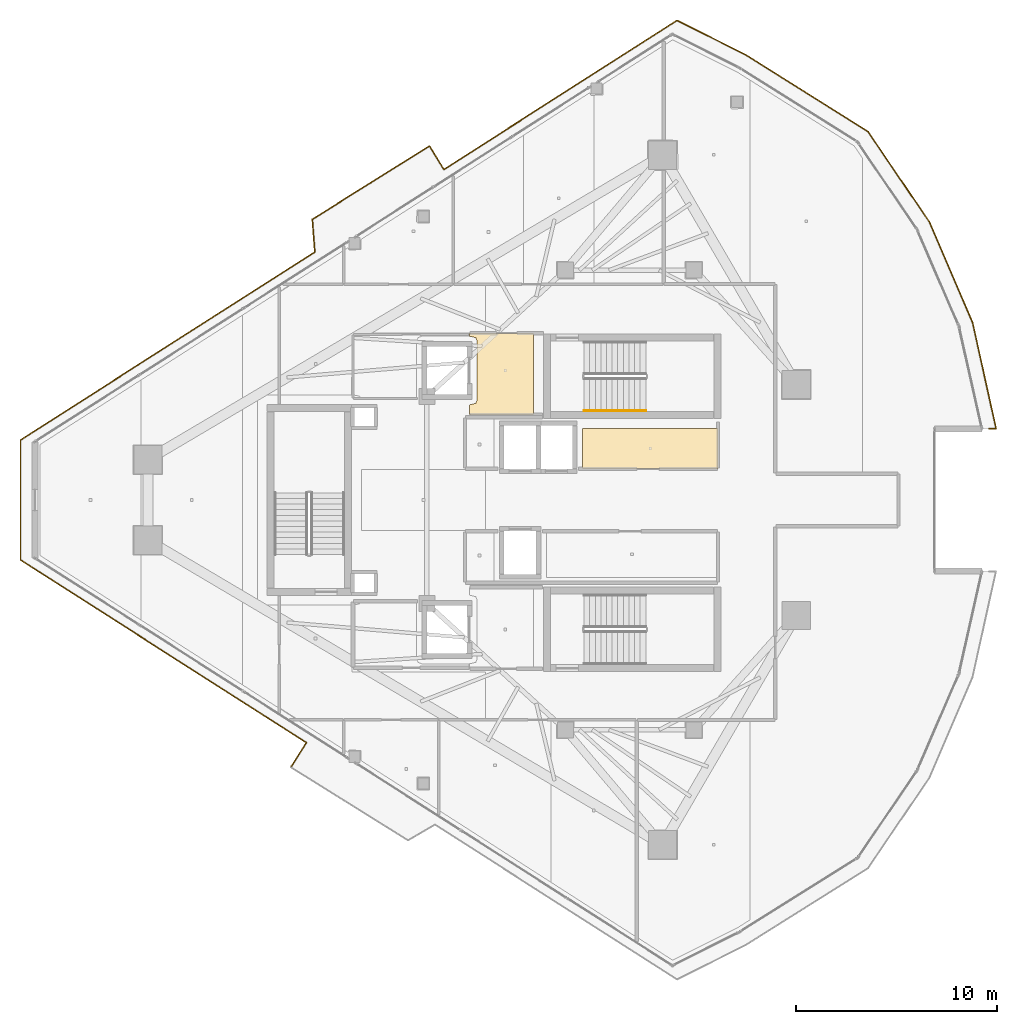
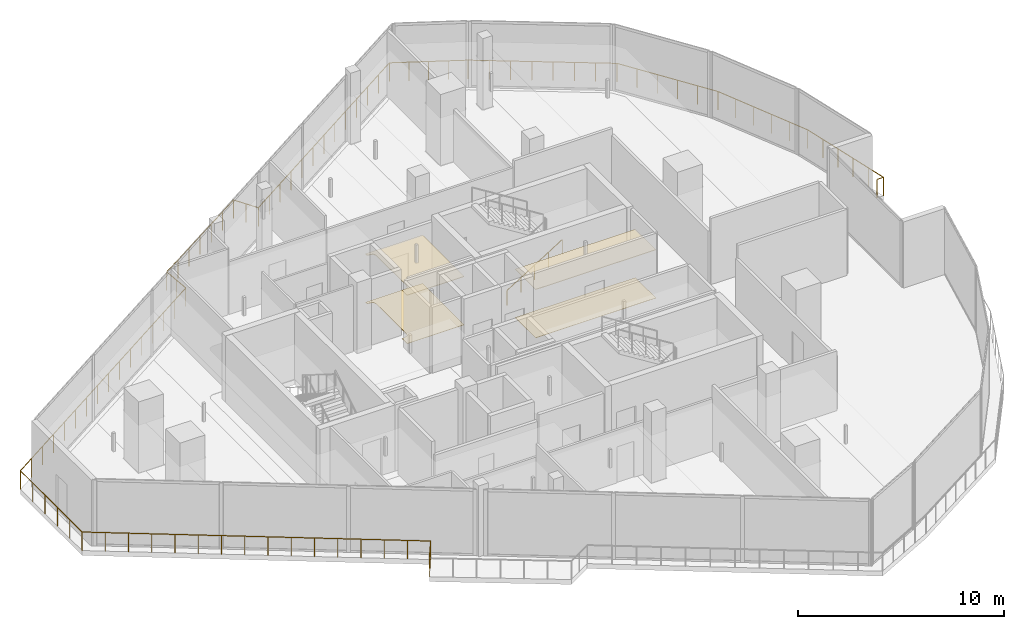
# One storey, part 25 of 27: 4 coverings, 2 railings.
"""IFC4 building model written with IfcOpenShell, lengths in metres."""

from ifc_helpers import new_model, si_unit, direction, frame, origin, origin_2d, place, context, subcontext, project, spatial, polyline, circle, outline, extrude, material, layer, layer_set, type_object, element, save


model = new_model("IFC4")

# Units and contexts
model_context = context("Model", 3, precision=1e-05, world=origin(), true_north=direction((0.0, 1.0)))
body_context = subcontext(model_context, "Body", "Model", "MODEL_VIEW")
ifc_project = project(units=[si_unit("LENGTHUNIT", "METRE"), si_unit("AREAUNIT", "SQUARE_METRE"), si_unit("VOLUMEUNIT", "CUBIC_METRE"), si_unit("PLANEANGLEUNIT", "RADIAN"), si_unit("MASSUNIT", "GRAM", prefix="KILO")], contexts=[model_context])

# Site, building, storey
site_placement = place(None, origin())
site = spatial("IfcSite", under=ifc_project, at=site_placement, CompositionType="ELEMENT")
building_placement = place(site_placement, origin())
building = spatial("IfcBuilding", under=site, at=building_placement, Name="Qorvath Tower", CompositionType="ELEMENT")
storey_placement = place(building_placement, frame((0.0, 0.0, 293.39990234375)))
storey = spatial("IfcBuildingStorey", under=building, at=storey_placement, Name="L68", CompositionType="ELEMENT", Elevation=293.39990234375)

# Coverings
ifc_material_1 = material(Name="Acoustic mineral fibre ceiling tile", Category="gypsum")
ifc_layer_1 = layer(ifc_material_1, 0.030029296875)
ifc_layer_set_1 = layer_set([ifc_layer_1], Name="COV-CEIL")
covering_type_1 = type_object("IfcCoveringType", Name="COV-CEIL", PredefinedType="CEILING", material=ifc_layer_set_1)
covering_1_placement = place(storey_placement, frame((0.0, 0.0, 2.85009765625)))
element("IfcCovering", 1, at=covering_1_placement, inside=storey, type_object=covering_type_1, Name="L68 Suspended Acoustic Ceiling 001", PredefinedType="CEILING", context=body_context, shape_type="SweptSolid", body=[
    extrude(outline(polyline([(-25.18994140625, 4.2548828125), (-25.18994140625, 8.294921875), (-28.375, 8.294921875), (-28.375, 8.159912109375), (-28.063232421875, 8.086669921875), (-27.989990234375, 7.909912109375), (-27.989990234375, 4.989990234375), (-28.063232421875, 4.813232421875), (-28.375, 4.739990234375), (-28.375, 4.2548828125), (-25.18994140625, 4.2548828125)])), origin(), (0.0, 0.0, 1.0), 0.030029296875),
])
covering_2_placement = place(storey_placement, frame((0.0, 0.0, 2.85009765625)))
element("IfcCovering", 2, at=covering_2_placement, inside=storey, type_object=covering_type_1, Name="L68 Suspended Acoustic Ceiling 003", PredefinedType="CEILING", context=body_context, shape_type="SweptSolid", body=[
    extrude(outline(polyline([(-16.0048828125, 3.56005859375), (-22.739990234375, 3.56005859375), (-22.739990234375, 1.56494140625), (-16.0048828125, 1.56494140625), (-16.0048828125, 3.56005859375)])), origin(), (0.0, 0.0, 1.0), 0.030029296875),
])
ifc_material_2 = material(Name="Low-VOC modular carpet tile", Category="textile")
ifc_layer_2 = layer(ifc_material_2, 0.014892578125)
ifc_layer_set_2 = layer_set([ifc_layer_2], Name="COV-FLOOR-CPT")
covering_type_2 = type_object("IfcCoveringType", Name="COV-FLOOR-CPT", PredefinedType="FLOORING", material=ifc_layer_set_2)
covering_3_placement = place(storey_placement, origin())
element("IfcCovering", 3, at=covering_3_placement, inside=storey, type_object=covering_type_2, Name="L68 Floor Finish 003", PredefinedType="FLOORING", context=body_context, shape_type="SweptSolid", body=[
    extrude(outline(polyline([(-16.0048828125, 3.56005859375), (-22.739990234375, 3.56005859375), (-22.739990234375, 1.56494140625), (-16.0048828125, 1.56494140625), (-16.0048828125, 3.56005859375)])), origin(), (0.0, 0.0, 1.0), 0.01513671875),
])
ifc_material_3 = material(Name="Polished epoxy terrazzo flooring", Category="concrete")
ifc_layer_3 = layer(ifc_material_3, 0.02001953125)
ifc_layer_set_3 = layer_set([ifc_layer_3], Name="COV-FLOOR-TRZ")
covering_type_3 = type_object("IfcCoveringType", Name="COV-FLOOR-TRZ", PredefinedType="FLOORING", material=ifc_layer_set_3)
covering_4_placement = place(storey_placement, origin())
element("IfcCovering", 4, at=covering_4_placement, inside=storey, type_object=covering_type_3, Name="L68 Floor Finish 001", PredefinedType="FLOORING", context=body_context, shape_type="SweptSolid", body=[
    extrude(outline(polyline([(-25.18994140625, 4.2548828125), (-25.18994140625, 8.294921875), (-28.375, 8.294921875), (-28.375, 8.159912109375), (-28.063232421875, 8.086669921875), (-27.989990234375, 7.909912109375), (-27.989990234375, 4.989990234375), (-28.063232421875, 4.813232421875), (-28.375, 4.739990234375), (-28.375, 4.2548828125), (-25.18994140625, 4.2548828125)])), origin(), (0.0, 0.0, 1.0), 0.01513671875),
])

# Railings
ifc_material_4 = material(Name="Laminated safety glass and stainless steel AISI 316", Category="steel")
railing_type_1 = type_object("IfcRailingType", Name="RL-EXT-GRD", PredefinedType="GUARDRAIL", material=ifc_material_4)
railing_1_placement = place(storey_placement, frame((-37.282470703125, -13.314453125, 0.0)))
element("IfcRailing", 5, at=railing_1_placement, inside=storey, type_object=railing_type_1, Name="Loggia Perimeter Guardrail L68-1.1", PredefinedType="GUARDRAIL", context=body_context, shape_type="SweptSolid", body=[
    extrude(circle(Radius=0.02392578125, at=origin_2d()), frame((0.0, 0.0, 1.09619140625), z_axis=(0.539430717547, 0.842029988164, 0.0), x_axis=(-0.842029988164, 0.539430717547, 0.0)), (0.0, 0.0, 1.0), 1.451416015625),
    extrude(circle(Radius=0.02392578125, at=origin_2d()), frame((0.782958984375, 1.22216796875, 1.09619140625), z_axis=(-0.842604533977, 0.538532821025, 0.0), x_axis=(-0.538532821025, -0.842604533977, 0.0)), (0.0, 0.0, 1.0), 16.908447265625),
    extrude(circle(Radius=0.02392578125, at=origin_2d()), frame((-13.464111328125, 10.327880859375, 1.09619140625), z_axis=(0.0, 1.0, 0.0), x_axis=(-1.0, 0.0, 0.0)), (0.0, 0.0, 1.0), 5.97314453125),
    extrude(circle(Radius=0.02392578125, at=origin_2d()), frame((-13.464111328125, 16.301025390625, 1.09619140625), z_axis=(0.842603242951, 0.538534840998, 0.0), x_axis=(-0.538534840998, 0.842603242951, 0.0)), (0.0, 0.0, 1.0), 17.401611328125),
    extrude(circle(Radius=0.02392578125, at=origin_2d()), frame((1.198486328125, 25.67236328125, 1.09619140625), z_axis=(-0.075347421397, 0.997157342694, 0.0), x_axis=(-0.997157342694, -0.075347421397, 0.0)), (0.0, 0.0, 1.0), 1.633056640625),
    extrude(circle(Radius=0.02392578125, at=origin_2d()), frame((1.075439453125, 27.30078125, 1.09619140625), z_axis=(0.848052061965, 0.529912917559, 0.0), x_axis=(-0.529912917559, 0.848052061965, 0.0)), (0.0, 0.0, 1.0), 6.88818359375),
    extrude(circle(Radius=0.02392578125, at=origin_2d()), frame((6.9169921875, 30.950927734375, 1.09619140625), z_axis=(0.520229906108, -0.854026255329, 0.0), x_axis=(0.854026255329, 0.520229906108, 0.0)), (0.0, 0.0, 1.0), 1.368408203125),
    extrude(circle(Radius=0.02392578125, at=origin_2d()), frame((7.62890625, 29.7822265625, 1.09619140625), z_axis=(0.84259828294, 0.538542601459, 0.0), x_axis=(-0.538542601459, 0.84259828294, 0.0)), (0.0, 0.0, 1.0), 13.7880859375),
    extrude(circle(Radius=0.02392578125, at=origin_2d()), frame((19.246826171875, 37.207763671875, 1.09619140625), z_axis=(0.894414395921, -0.447239184742, 0.0), x_axis=(0.447239184742, 0.894414395921, 0.0)), (0.0, 0.0, 1.0), 3.816162109375),
    extrude(circle(Radius=0.02392578125, at=origin_2d()), frame((22.66015625, 35.5009765625, 1.09619140625), z_axis=(0.846495141698, -0.532396445407, 0.0), x_axis=(0.532396445407, 0.846495141698, 0.0)), (0.0, 0.0, 1.0), 7.224853515625),
    extrude(circle(Radius=0.02392578125, at=origin_2d()), frame((28.77587890625, 31.654541015625, 1.09619140625), z_axis=(0.560845164157, -0.827920709876, 0.0), x_axis=(0.827920709876, 0.560845164157, 0.0)), (0.0, 0.0, 1.0), 5.4326171875),
    extrude(circle(Radius=0.02392578125, at=origin_2d()), frame((31.82275390625, 27.15673828125, 1.09619140625), z_axis=(0.395453611434, -0.918485950466, 0.0), x_axis=(0.918485950466, 0.395453611434, 0.0)), (0.0, 0.0, 1.0), 5.432861328125),
    extrude(circle(Radius=0.02392578125, at=origin_2d()), frame((33.97119140625, 22.166748046875, 1.09619140625), z_axis=(0.216107220828, -0.976369637538, 0.0), x_axis=(0.976369637538, 0.216107220828, 0.0)), (0.0, 0.0, 1.0), 5.432861328125),
    extrude(circle(Radius=0.02392578125, at=origin_2d()), frame((35.145263671875, 16.8623046875, 1.09619140625), z_axis=(-1.0, 0.0, 0.0), x_axis=(0.0, -1.0, 0.0)), (0.0, 0.0, 1.0), 0.354248046875),
    extrude(circle(Radius=0.02099609375, at=origin_2d()), origin(), (0.0, 0.0, 1.0), 1.072021484375),
    extrude(circle(Radius=0.02099609375, at=origin_2d()), frame((0.3916015625, 0.611083984375, 0.0)), (0.0, 0.0, 1.0), 1.072021484375),
    extrude(circle(Radius=0.02099609375, at=origin_2d()), frame((0.782958984375, 1.22216796875, 0.0)), (0.0, 0.0, 1.0), 1.072021484375),
    extrude(circle(Radius=0.02099609375, at=origin_2d()), frame((-0.166748046875, 1.8291015625, 0.0)), (0.0, 0.0, 1.0), 1.072021484375),
    extrude(circle(Radius=0.02099609375, at=origin_2d()), frame((-1.11669921875, 2.436279296875, 0.0)), (0.0, 0.0, 1.0), 1.072021484375),
    extrude(circle(Radius=0.02099609375, at=origin_2d()), frame((-2.06640625, 3.043212890625, 0.0)), (0.0, 0.0, 1.0), 1.072021484375),
    extrude(circle(Radius=0.02099609375, at=origin_2d()), frame((-3.016357421875, 3.650390625, 0.0)), (0.0, 0.0, 1.0), 1.072021484375),
    extrude(circle(Radius=0.02099609375, at=origin_2d()), frame((-3.966064453125, 4.25732421875, 0.0)), (0.0, 0.0, 1.0), 1.072021484375),
    extrude(circle(Radius=0.02099609375, at=origin_2d()), frame((-4.915771484375, 4.864501953125, 0.0)), (0.0, 0.0, 1.0), 1.072021484375),
    extrude(circle(Radius=0.02099609375, at=origin_2d()), frame((-5.86572265625, 5.471435546875, 0.0)), (0.0, 0.0, 1.0), 1.072021484375),
    extrude(circle(Radius=0.02099609375, at=origin_2d()), frame((-6.8154296875, 6.07861328125, 0.0)), (0.0, 0.0, 1.0), 1.072021484375),
    extrude(circle(Radius=0.02099609375, at=origin_2d()), frame((-7.765380859375, 6.685546875, 0.0)), (0.0, 0.0, 1.0), 1.072021484375),
    extrude(circle(Radius=0.02099609375, at=origin_2d()), frame((-8.715087890625, 7.292724609375, 0.0)), (0.0, 0.0, 1.0), 1.072021484375),
    extrude(circle(Radius=0.02099609375, at=origin_2d()), frame((-9.664794921875, 7.899658203125, 0.0)), (0.0, 0.0, 1.0), 1.072021484375),
    extrude(circle(Radius=0.02099609375, at=origin_2d()), frame((-10.61474609375, 8.5068359375, 0.0)), (0.0, 0.0, 1.0), 1.072021484375),
    extrude(circle(Radius=0.02099609375, at=origin_2d()), frame((-11.564453125, 9.11376953125, 0.0)), (0.0, 0.0, 1.0), 1.072021484375),
    extrude(circle(Radius=0.02099609375, at=origin_2d()), frame((-12.514404296875, 9.720947265625, 0.0)), (0.0, 0.0, 1.0), 1.072021484375),
    extrude(circle(Radius=0.02099609375, at=origin_2d()), frame((-13.464111328125, 10.327880859375, 0.0)), (0.0, 0.0, 1.0), 1.072021484375),
    extrude(circle(Radius=0.02099609375, at=origin_2d()), frame((-13.464111328125, 11.5224609375, 0.0)), (0.0, 0.0, 1.0), 1.072021484375),
    extrude(circle(Radius=0.02099609375, at=origin_2d()), frame((-13.464111328125, 12.717041015625, 0.0)), (0.0, 0.0, 1.0), 1.072021484375),
    extrude(circle(Radius=0.02099609375, at=origin_2d()), frame((-13.464111328125, 13.911865234375, 0.0)), (0.0, 0.0, 1.0), 1.072021484375),
    extrude(circle(Radius=0.02099609375, at=origin_2d()), frame((-13.464111328125, 15.1064453125, 0.0)), (0.0, 0.0, 1.0), 1.072021484375),
    extrude(circle(Radius=0.02099609375, at=origin_2d()), frame((-13.464111328125, 16.301025390625, 0.0)), (0.0, 0.0, 1.0), 1.072021484375),
    extrude(circle(Radius=0.02099609375, at=origin_2d()), frame((-12.486572265625, 16.92578125, 0.0)), (0.0, 0.0, 1.0), 1.072021484375),
    extrude(circle(Radius=0.02099609375, at=origin_2d()), frame((-11.509033203125, 17.550537109375, 0.0)), (0.0, 0.0, 1.0), 1.072021484375),
    extrude(circle(Radius=0.02099609375, at=origin_2d()), frame((-10.531494140625, 18.17529296875, 0.0)), (0.0, 0.0, 1.0), 1.072021484375),
    extrude(circle(Radius=0.02099609375, at=origin_2d()), frame((-9.55419921875, 18.800048828125, 0.0)), (0.0, 0.0, 1.0), 1.072021484375),
    extrude(circle(Radius=0.02099609375, at=origin_2d()), frame((-8.57666015625, 19.4248046875, 0.0)), (0.0, 0.0, 1.0), 1.072021484375),
    extrude(circle(Radius=0.02099609375, at=origin_2d()), frame((-7.59912109375, 20.049560546875, 0.0)), (0.0, 0.0, 1.0), 1.072021484375),
    extrude(circle(Radius=0.02099609375, at=origin_2d()), frame((-6.62158203125, 20.67431640625, 0.0)), (0.0, 0.0, 1.0), 1.072021484375),
    extrude(circle(Radius=0.02099609375, at=origin_2d()), frame((-5.64404296875, 21.299072265625, 0.0)), (0.0, 0.0, 1.0), 1.072021484375),
    extrude(circle(Radius=0.02099609375, at=origin_2d()), frame((-4.66650390625, 21.923828125, 0.0)), (0.0, 0.0, 1.0), 1.072021484375),
    extrude(circle(Radius=0.02099609375, at=origin_2d()), frame((-3.68896484375, 22.548583984375, 0.0)), (0.0, 0.0, 1.0), 1.072021484375),
    extrude(circle(Radius=0.02099609375, at=origin_2d()), frame((-2.71142578125, 23.17333984375, 0.0)), (0.0, 0.0, 1.0), 1.072021484375),
    extrude(circle(Radius=0.02099609375, at=origin_2d()), frame((-1.734130859375, 23.798095703125, 0.0)), (0.0, 0.0, 1.0), 1.072021484375),
    extrude(circle(Radius=0.02099609375, at=origin_2d()), frame((-0.756591796875, 24.4228515625, 0.0)), (0.0, 0.0, 1.0), 1.072021484375),
    extrude(circle(Radius=0.02099609375, at=origin_2d()), frame((0.220947265625, 25.047607421875, 0.0)), (0.0, 0.0, 1.0), 1.072021484375),
    extrude(circle(Radius=0.02099609375, at=origin_2d()), frame((1.198486328125, 25.67236328125, 0.0)), (0.0, 0.0, 1.0), 1.072021484375),
    extrude(circle(Radius=0.02099609375, at=origin_2d()), frame((1.136962890625, 26.486572265625, 0.0)), (0.0, 0.0, 1.0), 1.072021484375),
    extrude(circle(Radius=0.02099609375, at=origin_2d()), frame((1.075439453125, 27.30078125, 0.0)), (0.0, 0.0, 1.0), 1.072021484375),
    extrude(circle(Radius=0.02099609375, at=origin_2d()), frame((2.049072265625, 27.9091796875, 0.0)), (0.0, 0.0, 1.0), 1.072021484375),
    extrude(circle(Radius=0.02099609375, at=origin_2d()), frame((3.022705078125, 28.517578125, 0.0)), (0.0, 0.0, 1.0), 1.072021484375),
    extrude(circle(Radius=0.02099609375, at=origin_2d()), frame((3.99609375, 29.1259765625, 0.0)), (0.0, 0.0, 1.0), 1.072021484375),
    extrude(circle(Radius=0.02099609375, at=origin_2d()), frame((4.9697265625, 29.734130859375, 0.0)), (0.0, 0.0, 1.0), 1.072021484375),
    extrude(circle(Radius=0.02099609375, at=origin_2d()), frame((5.943359375, 30.342529296875, 0.0)), (0.0, 0.0, 1.0), 1.072021484375),
    extrude(circle(Radius=0.02099609375, at=origin_2d()), frame((6.9169921875, 30.950927734375, 0.0)), (0.0, 0.0, 1.0), 1.072021484375),
    extrude(circle(Radius=0.02099609375, at=origin_2d()), frame((7.27294921875, 30.36669921875, 0.0)), (0.0, 0.0, 1.0), 1.072021484375),
    extrude(circle(Radius=0.02099609375, at=origin_2d()), frame((7.62890625, 29.7822265625, 0.0)), (0.0, 0.0, 1.0), 1.072021484375),
    extrude(circle(Radius=0.02099609375, at=origin_2d()), frame((8.59716796875, 30.401123046875, 0.0)), (0.0, 0.0, 1.0), 1.072021484375),
    extrude(circle(Radius=0.02099609375, at=origin_2d()), frame((9.565185546875, 31.019775390625, 0.0)), (0.0, 0.0, 1.0), 1.072021484375),
    extrude(circle(Radius=0.02099609375, at=origin_2d()), frame((10.533447265625, 31.638671875, 0.0)), (0.0, 0.0, 1.0), 1.072021484375),
    extrude(circle(Radius=0.02099609375, at=origin_2d()), frame((11.50146484375, 32.25732421875, 0.0)), (0.0, 0.0, 1.0), 1.072021484375),
    extrude(circle(Radius=0.02099609375, at=origin_2d()), frame((12.4697265625, 32.876220703125, 0.0)), (0.0, 0.0, 1.0), 1.072021484375),
    extrude(circle(Radius=0.02099609375, at=origin_2d()), frame((13.43798828125, 33.4951171875, 0.0)), (0.0, 0.0, 1.0), 1.072021484375),
    extrude(circle(Radius=0.02099609375, at=origin_2d()), frame((14.406005859375, 34.11376953125, 0.0)), (0.0, 0.0, 1.0), 1.072021484375),
    extrude(circle(Radius=0.02099609375, at=origin_2d()), frame((15.374267578125, 34.732666015625, 0.0)), (0.0, 0.0, 1.0), 1.072021484375),
    extrude(circle(Radius=0.02099609375, at=origin_2d()), frame((16.34228515625, 35.351318359375, 0.0)), (0.0, 0.0, 1.0), 1.072021484375),
    extrude(circle(Radius=0.02099609375, at=origin_2d()), frame((17.310546875, 35.97021484375, 0.0)), (0.0, 0.0, 1.0), 1.072021484375),
    extrude(circle(Radius=0.02099609375, at=origin_2d()), frame((18.278564453125, 36.5888671875, 0.0)), (0.0, 0.0, 1.0), 1.072021484375),
    extrude(circle(Radius=0.02099609375, at=origin_2d()), frame((19.246826171875, 37.207763671875, 0.0)), (0.0, 0.0, 1.0), 1.072021484375),
    extrude(circle(Radius=0.02099609375, at=origin_2d()), frame((20.10009765625, 36.781005859375, 0.0)), (0.0, 0.0, 1.0), 1.072021484375),
    extrude(circle(Radius=0.02099609375, at=origin_2d()), frame((20.95361328125, 36.3544921875, 0.0)), (0.0, 0.0, 1.0), 1.072021484375),
    extrude(circle(Radius=0.02099609375, at=origin_2d()), frame((21.806884765625, 35.927734375, 0.0)), (0.0, 0.0, 1.0), 1.072021484375),
    extrude(circle(Radius=0.02099609375, at=origin_2d()), frame((22.66015625, 35.5009765625, 0.0)), (0.0, 0.0, 1.0), 1.072021484375),
    extrude(circle(Radius=0.02099609375, at=origin_2d()), frame((23.533935546875, 34.951416015625, 0.0)), (0.0, 0.0, 1.0), 1.072021484375),
    extrude(circle(Radius=0.02099609375, at=origin_2d()), frame((24.407470703125, 34.402099609375, 0.0)), (0.0, 0.0, 1.0), 1.072021484375),
    extrude(circle(Radius=0.02099609375, at=origin_2d()), frame((25.28125, 33.8525390625, 0.0)), (0.0, 0.0, 1.0), 1.072021484375),
    extrude(circle(Radius=0.02099609375, at=origin_2d()), frame((26.15478515625, 33.302978515625, 0.0)), (0.0, 0.0, 1.0), 1.072021484375),
    extrude(circle(Radius=0.02099609375, at=origin_2d()), frame((27.028564453125, 32.75341796875, 0.0)), (0.0, 0.0, 1.0), 1.072021484375),
    extrude(circle(Radius=0.02099609375, at=origin_2d()), frame((27.902099609375, 32.2041015625, 0.0)), (0.0, 0.0, 1.0), 1.072021484375),
    extrude(circle(Radius=0.02099609375, at=origin_2d()), frame((28.77587890625, 31.654541015625, 0.0)), (0.0, 0.0, 1.0), 1.072021484375),
    extrude(circle(Radius=0.02099609375, at=origin_2d()), frame((29.38525390625, 30.7548828125, 0.0)), (0.0, 0.0, 1.0), 1.072021484375),
    extrude(circle(Radius=0.02099609375, at=origin_2d()), frame((29.99462890625, 29.85546875, 0.0)), (0.0, 0.0, 1.0), 1.072021484375),
    extrude(circle(Radius=0.02099609375, at=origin_2d()), frame((30.60400390625, 28.955810546875, 0.0)), (0.0, 0.0, 1.0), 1.072021484375),
    extrude(circle(Radius=0.02099609375, at=origin_2d()), frame((31.21337890625, 28.056396484375, 0.0)), (0.0, 0.0, 1.0), 1.072021484375),
    extrude(circle(Radius=0.02099609375, at=origin_2d()), frame((31.82275390625, 27.15673828125, 0.0)), (0.0, 0.0, 1.0), 1.072021484375),
    extrude(circle(Radius=0.02099609375, at=origin_2d()), frame((32.25244140625, 26.15869140625, 0.0)), (0.0, 0.0, 1.0), 1.072021484375),
    extrude(circle(Radius=0.02099609375, at=origin_2d()), frame((32.68212890625, 25.16064453125, 0.0)), (0.0, 0.0, 1.0), 1.072021484375),
    extrude(circle(Radius=0.02099609375, at=origin_2d()), frame((33.11181640625, 24.162841796875, 0.0)), (0.0, 0.0, 1.0), 1.072021484375),
    extrude(circle(Radius=0.02099609375, at=origin_2d()), frame((33.54150390625, 23.164794921875, 0.0)), (0.0, 0.0, 1.0), 1.072021484375),
    extrude(circle(Radius=0.02099609375, at=origin_2d()), frame((33.97119140625, 22.166748046875, 0.0)), (0.0, 0.0, 1.0), 1.072021484375),
    extrude(circle(Radius=0.02099609375, at=origin_2d()), frame((34.2060546875, 21.10595703125, 0.0)), (0.0, 0.0, 1.0), 1.072021484375),
    extrude(circle(Radius=0.02099609375, at=origin_2d()), frame((34.44091796875, 20.044921875, 0.0)), (0.0, 0.0, 1.0), 1.072021484375),
    extrude(circle(Radius=0.02099609375, at=origin_2d()), frame((34.675537109375, 18.984130859375, 0.0)), (0.0, 0.0, 1.0), 1.072021484375),
    extrude(circle(Radius=0.02099609375, at=origin_2d()), frame((34.910400390625, 17.923095703125, 0.0)), (0.0, 0.0, 1.0), 1.072021484375),
    extrude(circle(Radius=0.02099609375, at=origin_2d()), frame((35.145263671875, 16.8623046875, 0.0)), (0.0, 0.0, 1.0), 1.072021484375),
    extrude(circle(Radius=0.02099609375, at=origin_2d()), frame((34.791015625, 16.8623046875, 0.0)), (0.0, 0.0, 1.0), 1.072021484375),
])
ifc_material_5 = material(Name="Brushed stainless steel AISI 304", Category="steel")
railing_type_2 = type_object("IfcRailingType", Name="RL-STR-HND", PredefinedType="HANDRAIL", material=ifc_material_5)
railing_2_placement = place(storey_placement, frame((-22.669921875, 4.449951171875, 0.175048828125)))
element("IfcRailing", 6, at=railing_2_placement, inside=storey, type_object=railing_type_2, Name="L68 TS1 stair handrail 1", PredefinedType="HANDRAIL", context=body_context, shape_type="SweptSolid", body=[
    extrude(circle(Radius=0.02392578125, at=origin_2d()), frame((0.0, 0.0, 0.8759765625), z_axis=(0.847979421464, 0.0, 0.530029150871), x_axis=(0.0, 1.0, 0.0)), (0.0, 0.0, 1.0), 3.632080078125),
    extrude(circle(Radius=0.02099609375, at=origin_2d()), origin(), (0.0, 0.0, 1.0), 0.851806640625),
    extrude(circle(Radius=0.02099609375, at=origin_2d()), frame((0.77001953125, 0.0, 0.481201171875)), (0.0, 0.0, 1.0), 0.851806640625),
    extrude(circle(Radius=0.02099609375, at=origin_2d()), frame((1.5400390625, 0.0, 0.96240234375)), (0.0, 0.0, 1.0), 0.851806640625),
    extrude(circle(Radius=0.02099609375, at=origin_2d()), frame((2.309814453125, 0.0, 1.44384765625)), (0.0, 0.0, 1.0), 0.851806640625),
    extrude(circle(Radius=0.02099609375, at=origin_2d()), frame((3.079833984375, 0.0, 1.925048828125)), (0.0, 0.0, 1.0), 0.851806640625),
])

save(model, "model.ifc")
